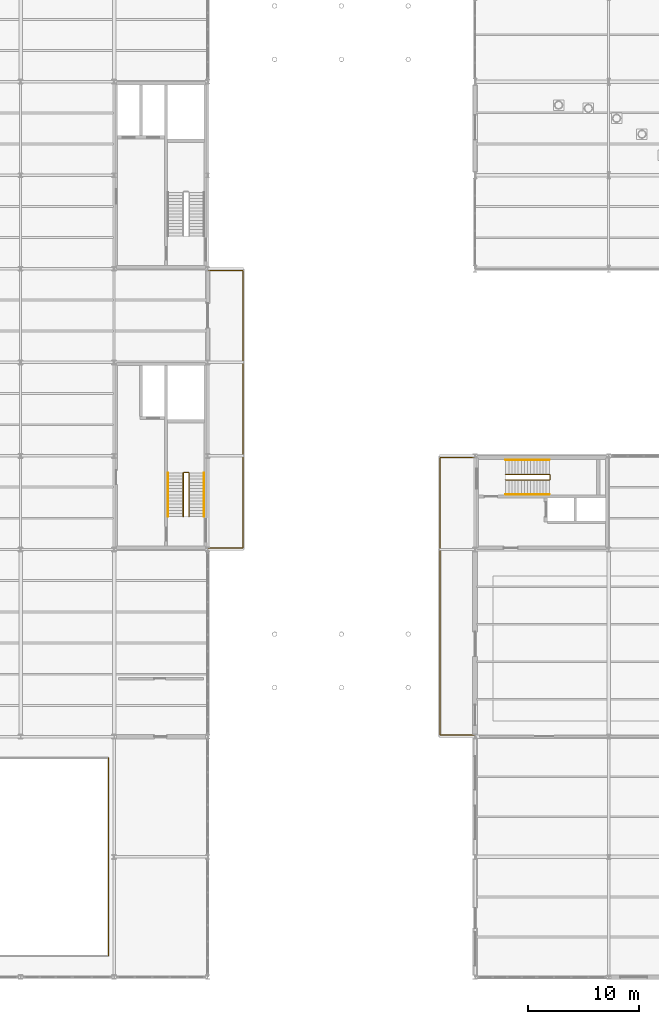
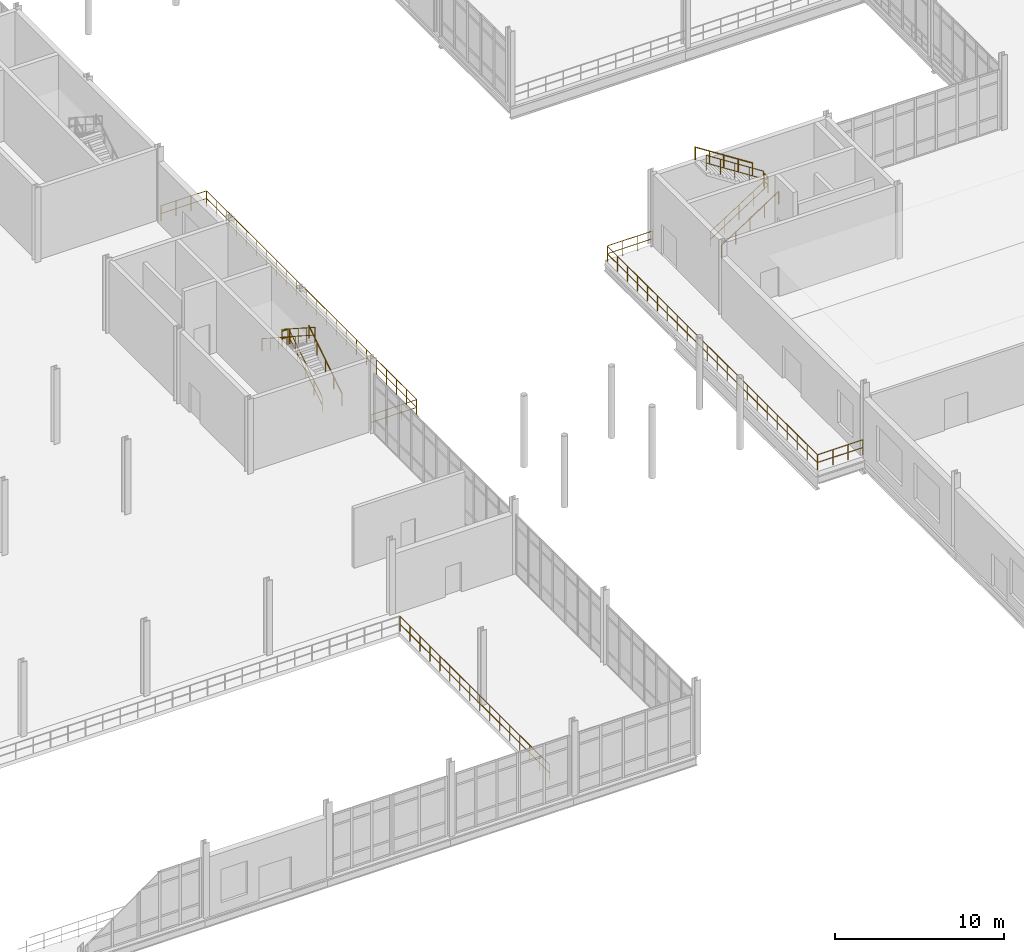
# One storey, part 107 of 111: 17 railings.
"""IFC4 building model written with IfcOpenShell, lengths in metres."""

from ifc_helpers import new_model, si_unit, direction, frame, origin, origin_2d, place, context, subcontext, project, spatial, circle, extrude, material, type_object, element, save


model = new_model("IFC4")

# Units and contexts
model_context = context("Model", 3, precision=1e-05, world=origin(), true_north=direction((0.0, 1.0)))
body_context = subcontext(model_context, "Body", "Model", "MODEL_VIEW")
ifc_project = project(units=[si_unit("LENGTHUNIT", "METRE"), si_unit("AREAUNIT", "SQUARE_METRE"), si_unit("VOLUMEUNIT", "CUBIC_METRE"), si_unit("PLANEANGLEUNIT", "RADIAN"), si_unit("MASSUNIT", "GRAM", prefix="KILO"), si_unit("THERMODYNAMICTEMPERATUREUNIT", "KELVIN"), si_unit("POWERUNIT", "WATT")], contexts=[model_context])

# Site, building, storey
site_placement = place(None, origin())
site = spatial("IfcSite", under=ifc_project, at=site_placement, CompositionType="ELEMENT")
building_placement = place(site_placement, origin())
building = spatial("IfcBuilding", under=site, at=building_placement, Name="Tembeka Court Mobility Hub", CompositionType="ELEMENT")
storey_placement = place(building_placement, origin())
storey = spatial("IfcBuildingStorey", under=building, at=storey_placement, Name="L00", CompositionType="ELEMENT", Elevation=0.0)

# Railings
ifc_material_1 = material(Name="Painted galvanised steel balustrade", Category="steel")
railing_type_1 = type_object("IfcRailingType", Name="RL-GR01", PredefinedType="GUARDRAIL", material=ifc_material_1)
railing_1_placement = place(storey_placement, frame((90.699951171875, 41.35009765625, 0.179931640625)))
element("IfcRailing", 1, at=railing_1_placement, inside=storey, type_object=railing_type_1, Name="L00 ST04 stair guard 1-1", PredefinedType="GUARDRAIL", context=body_context, shape_type="SweptSolid", body=[
    extrude(circle(Radius=0.02392578125, at=origin_2d()), frame((0.0, 0.0, 1.09619140625), z_axis=(0.0, 0.841171666519, 0.540768182723), x_axis=(-1.0, 0.0, 0.0)), (0.0, 0.0, 1.0), 4.66015625),
    extrude(circle(Radius=0.02392578125, at=origin_2d()), frame((0.0, 0.0, 0.5361328125), z_axis=(0.0, 0.841171666519, 0.540768182723), x_axis=(-1.0, 0.0, 0.0)), (0.0, 0.0, 1.0), 4.66015625),
    extrude(circle(Radius=0.02099609375, at=origin_2d()), origin(), (0.0, 0.0, 1.0), 1.072021484375),
    extrude(circle(Radius=0.02099609375, at=origin_2d()), frame((0.0, 0.97998046875, 0.6298828125)), (0.0, 0.0, 1.0), 1.072021484375),
    extrude(circle(Radius=0.02099609375, at=origin_2d()), frame((0.0, 1.9599609375, 1.260009765625)), (0.0, 0.0, 1.0), 1.072021484375),
    extrude(circle(Radius=0.02099609375, at=origin_2d()), frame((0.0, 2.93994140625, 1.89013671875)), (0.0, 0.0, 1.0), 1.072021484375),
    extrude(circle(Radius=0.02099609375, at=origin_2d()), frame((0.0, 3.919921875, 2.52001953125)), (0.0, 0.0, 1.0), 1.072021484375),
])
railing_2_placement = place(storey_placement, frame((90.64990234375, 45.320068359375, 2.699951171875)))
element("IfcRailing", 2, at=railing_2_placement, inside=storey, type_object=railing_type_1, Name="L00 ST04 stair guard 2-1", PredefinedType="GUARDRAIL", context=body_context, shape_type="SweptSolid", body=[
    extrude(circle(Radius=0.02392578125, at=origin_2d()), frame((0.0, 0.0, 1.09619140625), z_axis=(-1.0, 0.0, 0.0), x_axis=(0.0, -1.0, 0.0)), (0.0, 0.0, 1.0), 0.39990234375),
    extrude(circle(Radius=0.02392578125, at=origin_2d()), frame((0.0, 0.0, 0.5361328125), z_axis=(-1.0, 0.0, 0.0), x_axis=(0.0, -1.0, 0.0)), (0.0, 0.0, 1.0), 0.39990234375),
    extrude(circle(Radius=0.02099609375, at=origin_2d()), origin(), (0.0, 0.0, 1.0), 1.072021484375),
    extrude(circle(Radius=0.02099609375, at=origin_2d()), frame((-0.39990234375, 0.0, 0.0)), (0.0, 0.0, 1.0), 1.072021484375),
])
railing_3_placement = place(storey_placement, frame((90.199951171875, 45.27001953125, 2.8798828125)))
element("IfcRailing", 3, at=railing_3_placement, inside=storey, type_object=railing_type_1, Name="L00 ST04 stair guard 3-1", PredefinedType="GUARDRAIL", context=body_context, shape_type="SweptSolid", body=[
    extrude(circle(Radius=0.02392578125, at=origin_2d()), frame((0.0, 0.0, 1.09619140625), z_axis=(0.0, -0.841171666519, 0.540768182723), x_axis=(1.0, 0.0, 0.0)), (0.0, 0.0, 1.0), 4.66015625),
    extrude(circle(Radius=0.02392578125, at=origin_2d()), frame((0.0, 0.0, 0.5361328125), z_axis=(0.0, -0.841171666519, 0.540768182723), x_axis=(1.0, 0.0, 0.0)), (0.0, 0.0, 1.0), 4.66015625),
    extrude(circle(Radius=0.02099609375, at=origin_2d()), origin(), (0.0, 0.0, 1.0), 1.072021484375),
    extrude(circle(Radius=0.02099609375, at=origin_2d()), frame((0.0, -0.97998046875, 0.6298828125)), (0.0, 0.0, 1.0), 1.072021484375),
    extrude(circle(Radius=0.02099609375, at=origin_2d()), frame((0.0, -1.9599609375, 1.260009765625)), (0.0, 0.0, 1.0), 1.072021484375),
    extrude(circle(Radius=0.02099609375, at=origin_2d()), frame((0.0, -2.93994140625, 1.89013671875)), (0.0, 0.0, 1.0), 1.072021484375),
    extrude(circle(Radius=0.02099609375, at=origin_2d()), frame((0.0, -3.919921875, 2.52001953125)), (0.0, 0.0, 1.0), 1.072021484375),
])
railing_4_placement = place(storey_placement, frame((119.14990234375, 44.64990234375, 0.179931640625)))
element("IfcRailing", 4, at=railing_4_placement, inside=storey, type_object=railing_type_1, Name="L00 ST05 stair guard 1-1", PredefinedType="GUARDRAIL", context=body_context, shape_type="SweptSolid", body=[
    extrude(circle(Radius=0.02392578125, at=origin_2d()), frame((0.0, 0.0, 1.09619140625), z_axis=(0.841186985886, 0.0, 0.540744352514), x_axis=(0.0, 1.0, 0.0)), (0.0, 0.0, 1.0), 4.660400390625),
    extrude(circle(Radius=0.02392578125, at=origin_2d()), frame((0.0, 0.0, 0.5361328125), z_axis=(0.841186985886, 0.0, 0.540744352514), x_axis=(0.0, 1.0, 0.0)), (0.0, 0.0, 1.0), 4.660400390625),
    extrude(circle(Radius=0.02099609375, at=origin_2d()), origin(), (0.0, 0.0, 1.0), 1.072021484375),
    extrude(circle(Radius=0.02099609375, at=origin_2d()), frame((0.97998046875, 0.0, 0.6298828125)), (0.0, 0.0, 1.0), 1.072021484375),
    extrude(circle(Radius=0.02099609375, at=origin_2d()), frame((1.9599609375, 0.0, 1.260009765625)), (0.0, 0.0, 1.0), 1.072021484375),
    extrude(circle(Radius=0.02099609375, at=origin_2d()), frame((2.940185546875, 0.0, 1.89013671875)), (0.0, 0.0, 1.0), 1.072021484375),
    extrude(circle(Radius=0.02099609375, at=origin_2d()), frame((3.920166015625, 0.0, 2.52001953125)), (0.0, 0.0, 1.0), 1.072021484375),
])
railing_5_placement = place(storey_placement, frame((123.1201171875, 44.699951171875, 2.699951171875)))
element("IfcRailing", 5, at=railing_5_placement, inside=storey, type_object=railing_type_1, Name="L00 ST05 stair guard 2-1", PredefinedType="GUARDRAIL", context=body_context, shape_type="SweptSolid", body=[
    extrude(circle(Radius=0.02392578125, at=origin_2d()), frame((0.0, 0.0, 1.09619140625), z_axis=(0.0, 1.0, 0.0), x_axis=(-1.0, 0.0, 0.0)), (0.0, 0.0, 1.0), 0.400146484375),
    extrude(circle(Radius=0.02392578125, at=origin_2d()), frame((0.0, 0.0, 0.5361328125), z_axis=(0.0, 1.0, 0.0), x_axis=(-1.0, 0.0, 0.0)), (0.0, 0.0, 1.0), 0.400146484375),
    extrude(circle(Radius=0.02099609375, at=origin_2d()), origin(), (0.0, 0.0, 1.0), 1.072021484375),
    extrude(circle(Radius=0.02099609375, at=origin_2d()), frame((0.0, 0.400146484375, 0.0)), (0.0, 0.0, 1.0), 1.072021484375),
])
railing_6_placement = place(storey_placement, frame((123.070068359375, 45.14990234375, 2.8798828125)))
element("IfcRailing", 6, at=railing_6_placement, inside=storey, type_object=railing_type_1, Name="L00 ST05 stair guard 3-1", PredefinedType="GUARDRAIL", context=body_context, shape_type="SweptSolid", body=[
    extrude(circle(Radius=0.02392578125, at=origin_2d()), frame((0.0, 0.0, 1.09619140625), z_axis=(-0.841186985886, 0.0, 0.540744352514), x_axis=(0.0, -1.0, 0.0)), (0.0, 0.0, 1.0), 4.660400390625),
    extrude(circle(Radius=0.02392578125, at=origin_2d()), frame((0.0, 0.0, 0.5361328125), z_axis=(-0.841186985886, 0.0, 0.540744352514), x_axis=(0.0, -1.0, 0.0)), (0.0, 0.0, 1.0), 4.660400390625),
    extrude(circle(Radius=0.02099609375, at=origin_2d()), origin(), (0.0, 0.0, 1.0), 1.072021484375),
    extrude(circle(Radius=0.02099609375, at=origin_2d()), frame((-0.97998046875, 0.0, 0.6298828125)), (0.0, 0.0, 1.0), 1.072021484375),
    extrude(circle(Radius=0.02099609375, at=origin_2d()), frame((-1.9599609375, 0.0, 1.260009765625)), (0.0, 0.0, 1.0), 1.072021484375),
    extrude(circle(Radius=0.02099609375, at=origin_2d()), frame((-2.940185546875, 0.0, 1.89013671875)), (0.0, 0.0, 1.0), 1.072021484375),
    extrude(circle(Radius=0.02099609375, at=origin_2d()), frame((-3.920166015625, 0.0, 2.52001953125)), (0.0, 0.0, 1.0), 1.072021484375),
])
railing_type_2 = type_object("IfcRailingType", Name="RL-GR02", PredefinedType="GUARDRAIL", material=ifc_material_1)
railing_7_placement = place(storey_placement, frame((92.429931640625, 38.550048828125, 0.0)))
element("IfcRailing", 7, at=railing_7_placement, inside=storey, type_object=railing_type_2, Name="Perimeter guard GR02-0003", PredefinedType="GUARDRAIL", context=body_context, shape_type="SweptSolid", body=[
    extrude(circle(Radius=0.02392578125, at=origin_2d()), frame((0.0, 0.0, 1.09619140625), z_axis=(1.0, 0.0, 0.0), x_axis=(0.0, 1.0, 0.0)), (0.0, 0.0, 1.0), 3.090087890625),
    extrude(circle(Radius=0.02392578125, at=origin_2d()), frame((0.0, 0.0, 0.5361328125), z_axis=(1.0, 0.0, 0.0), x_axis=(0.0, 1.0, 0.0)), (0.0, 0.0, 1.0), 3.090087890625),
    extrude(circle(Radius=0.02099609375, at=origin_2d()), origin(), (0.0, 0.0, 1.0), 1.072021484375),
    extrude(circle(Radius=0.02099609375, at=origin_2d()), frame((1.030029296875, 0.0, 0.0)), (0.0, 0.0, 1.0), 1.072021484375),
    extrude(circle(Radius=0.02099609375, at=origin_2d()), frame((2.06005859375, 0.0, 0.0)), (0.0, 0.0, 1.0), 1.072021484375),
    extrude(circle(Radius=0.02099609375, at=origin_2d()), frame((3.090087890625, 0.0, 0.0)), (0.0, 0.0, 1.0), 1.072021484375),
])
railing_8_placement = place(storey_placement, frame((95.550048828125, 38.580078125, 0.0)))
element("IfcRailing", 8, at=railing_8_placement, inside=storey, type_object=railing_type_2, Name="Perimeter guard GR02-0004", PredefinedType="GUARDRAIL", context=body_context, shape_type="SweptSolid", body=[
    extrude(circle(Radius=0.02392578125, at=origin_2d()), frame((0.0, 0.0, 1.09619140625), z_axis=(0.0, 1.0, 0.0), x_axis=(-1.0, 0.0, 0.0)), (0.0, 0.0, 1.0), 24.83984375),
    extrude(circle(Radius=0.02392578125, at=origin_2d()), frame((0.0, 0.0, 0.5361328125), z_axis=(0.0, 1.0, 0.0), x_axis=(-1.0, 0.0, 0.0)), (0.0, 0.0, 1.0), 24.83984375),
    extrude(circle(Radius=0.02099609375, at=origin_2d()), origin(), (0.0, 0.0, 1.0), 1.072021484375),
    extrude(circle(Radius=0.02099609375, at=origin_2d()), frame((0.0, 1.182861328125, 0.0)), (0.0, 0.0, 1.0), 1.072021484375),
    extrude(circle(Radius=0.02099609375, at=origin_2d()), frame((0.0, 2.36572265625, 0.0)), (0.0, 0.0, 1.0), 1.072021484375),
    extrude(circle(Radius=0.02099609375, at=origin_2d()), frame((0.0, 3.548583984375, 0.0)), (0.0, 0.0, 1.0), 1.072021484375),
    extrude(circle(Radius=0.02099609375, at=origin_2d()), frame((0.0, 4.7314453125, 0.0)), (0.0, 0.0, 1.0), 1.072021484375),
    extrude(circle(Radius=0.02099609375, at=origin_2d()), frame((0.0, 5.914306640625, 0.0)), (0.0, 0.0, 1.0), 1.072021484375),
    extrude(circle(Radius=0.02099609375, at=origin_2d()), frame((0.0, 7.09716796875, 0.0)), (0.0, 0.0, 1.0), 1.072021484375),
    extrude(circle(Radius=0.02099609375, at=origin_2d()), frame((0.0, 8.280029296875, 0.0)), (0.0, 0.0, 1.0), 1.072021484375),
    extrude(circle(Radius=0.02099609375, at=origin_2d()), frame((0.0, 9.462890625, 0.0)), (0.0, 0.0, 1.0), 1.072021484375),
    extrude(circle(Radius=0.02099609375, at=origin_2d()), frame((0.0, 10.645751953125, 0.0)), (0.0, 0.0, 1.0), 1.072021484375),
    extrude(circle(Radius=0.02099609375, at=origin_2d()), frame((0.0, 11.82861328125, 0.0)), (0.0, 0.0, 1.0), 1.072021484375),
    extrude(circle(Radius=0.02099609375, at=origin_2d()), frame((0.0, 13.01123046875, 0.0)), (0.0, 0.0, 1.0), 1.072021484375),
    extrude(circle(Radius=0.02099609375, at=origin_2d()), frame((0.0, 14.194091796875, 0.0)), (0.0, 0.0, 1.0), 1.072021484375),
    extrude(circle(Radius=0.02099609375, at=origin_2d()), frame((0.0, 15.376953125, 0.0)), (0.0, 0.0, 1.0), 1.072021484375),
    extrude(circle(Radius=0.02099609375, at=origin_2d()), frame((0.0, 16.559814453125, 0.0)), (0.0, 0.0, 1.0), 1.072021484375),
    extrude(circle(Radius=0.02099609375, at=origin_2d()), frame((0.0, 17.74267578125, 0.0)), (0.0, 0.0, 1.0), 1.072021484375),
    extrude(circle(Radius=0.02099609375, at=origin_2d()), frame((0.0, 18.925537109375, 0.0)), (0.0, 0.0, 1.0), 1.072021484375),
    extrude(circle(Radius=0.02099609375, at=origin_2d()), frame((0.0, 20.1083984375, 0.0)), (0.0, 0.0, 1.0), 1.072021484375),
    extrude(circle(Radius=0.02099609375, at=origin_2d()), frame((0.0, 21.291259765625, 0.0)), (0.0, 0.0, 1.0), 1.072021484375),
    extrude(circle(Radius=0.02099609375, at=origin_2d()), frame((0.0, 22.47412109375, 0.0)), (0.0, 0.0, 1.0), 1.072021484375),
    extrude(circle(Radius=0.02099609375, at=origin_2d()), frame((0.0, 23.656982421875, 0.0)), (0.0, 0.0, 1.0), 1.072021484375),
    extrude(circle(Radius=0.02099609375, at=origin_2d()), frame((0.0, 24.83984375, 0.0)), (0.0, 0.0, 1.0), 1.072021484375),
])
for number, where, name in (
    (9, (95.52001953125, 63.449951171875, 0.0), "Perimeter guard GR02-0005"),
    (10, (116.3701171875, 21.75, 0.0), "Perimeter guard GR02-0006"),
):
    element("IfcRailing", number, at=place(storey_placement, frame(where)), inside=storey, type_object=railing_type_2, Name=name, PredefinedType="GUARDRAIL", context=body_context, shape_type="SweptSolid", body=[
        extrude(circle(Radius=0.02392578125, at=origin_2d()), frame((0.0, 0.0, 1.09619140625), z_axis=(-1.0, 0.0, 0.0), x_axis=(0.0, -1.0, 0.0)), (0.0, 0.0, 1.0), 3.090087890625),
        extrude(circle(Radius=0.02392578125, at=origin_2d()), frame((0.0, 0.0, 0.5361328125), z_axis=(-1.0, 0.0, 0.0), x_axis=(0.0, -1.0, 0.0)), (0.0, 0.0, 1.0), 3.090087890625),
        extrude(circle(Radius=0.02099609375, at=origin_2d()), origin(), (0.0, 0.0, 1.0), 1.072021484375),
        extrude(circle(Radius=0.02099609375, at=origin_2d()), frame((-1.030029296875, 0.0, 0.0)), (0.0, 0.0, 1.0), 1.072021484375),
        extrude(circle(Radius=0.02099609375, at=origin_2d()), frame((-2.06005859375, 0.0, 0.0)), (0.0, 0.0, 1.0), 1.072021484375),
        extrude(circle(Radius=0.02099609375, at=origin_2d()), frame((-3.090087890625, 0.0, 0.0)), (0.0, 0.0, 1.0), 1.072021484375),
    ])
railing_9_placement = place(storey_placement, frame((113.25, 21.780029296875, 0.0)))
element("IfcRailing", 11, at=railing_9_placement, inside=storey, type_object=railing_type_2, Name="Perimeter guard GR02-0007", PredefinedType="GUARDRAIL", context=body_context, shape_type="SweptSolid", body=[
    extrude(circle(Radius=0.02392578125, at=origin_2d()), frame((0.0, 0.0, 1.09619140625), z_axis=(0.0, 1.0, 0.0), x_axis=(-1.0, 0.0, 0.0)), (0.0, 0.0, 1.0), 24.840087890625),
    extrude(circle(Radius=0.02392578125, at=origin_2d()), frame((0.0, 0.0, 0.5361328125), z_axis=(0.0, 1.0, 0.0), x_axis=(-1.0, 0.0, 0.0)), (0.0, 0.0, 1.0), 24.840087890625),
    extrude(circle(Radius=0.02099609375, at=origin_2d()), origin(), (0.0, 0.0, 1.0), 1.072021484375),
    extrude(circle(Radius=0.02099609375, at=origin_2d()), frame((0.0, 1.182861328125, 0.0)), (0.0, 0.0, 1.0), 1.072021484375),
    extrude(circle(Radius=0.02099609375, at=origin_2d()), frame((0.0, 2.36572265625, 0.0)), (0.0, 0.0, 1.0), 1.072021484375),
    extrude(circle(Radius=0.02099609375, at=origin_2d()), frame((0.0, 3.548583984375, 0.0)), (0.0, 0.0, 1.0), 1.072021484375),
    extrude(circle(Radius=0.02099609375, at=origin_2d()), frame((0.0, 4.7314453125, 0.0)), (0.0, 0.0, 1.0), 1.072021484375),
    extrude(circle(Radius=0.02099609375, at=origin_2d()), frame((0.0, 5.914306640625, 0.0)), (0.0, 0.0, 1.0), 1.072021484375),
    extrude(circle(Radius=0.02099609375, at=origin_2d()), frame((0.0, 7.09716796875, 0.0)), (0.0, 0.0, 1.0), 1.072021484375),
    extrude(circle(Radius=0.02099609375, at=origin_2d()), frame((0.0, 8.280029296875, 0.0)), (0.0, 0.0, 1.0), 1.072021484375),
    extrude(circle(Radius=0.02099609375, at=origin_2d()), frame((0.0, 9.462890625, 0.0)), (0.0, 0.0, 1.0), 1.072021484375),
    extrude(circle(Radius=0.02099609375, at=origin_2d()), frame((0.0, 10.645751953125, 0.0)), (0.0, 0.0, 1.0), 1.072021484375),
    extrude(circle(Radius=0.02099609375, at=origin_2d()), frame((0.0, 11.82861328125, 0.0)), (0.0, 0.0, 1.0), 1.072021484375),
    extrude(circle(Radius=0.02099609375, at=origin_2d()), frame((0.0, 13.011474609375, 0.0)), (0.0, 0.0, 1.0), 1.072021484375),
    extrude(circle(Radius=0.02099609375, at=origin_2d()), frame((0.0, 14.1943359375, 0.0)), (0.0, 0.0, 1.0), 1.072021484375),
    extrude(circle(Radius=0.02099609375, at=origin_2d()), frame((0.0, 15.377197265625, 0.0)), (0.0, 0.0, 1.0), 1.072021484375),
    extrude(circle(Radius=0.02099609375, at=origin_2d()), frame((0.0, 16.56005859375, 0.0)), (0.0, 0.0, 1.0), 1.072021484375),
    extrude(circle(Radius=0.02099609375, at=origin_2d()), frame((0.0, 17.742919921875, 0.0)), (0.0, 0.0, 1.0), 1.072021484375),
    extrude(circle(Radius=0.02099609375, at=origin_2d()), frame((0.0, 18.92578125, 0.0)), (0.0, 0.0, 1.0), 1.072021484375),
    extrude(circle(Radius=0.02099609375, at=origin_2d()), frame((0.0, 20.108642578125, 0.0)), (0.0, 0.0, 1.0), 1.072021484375),
    extrude(circle(Radius=0.02099609375, at=origin_2d()), frame((0.0, 21.29150390625, 0.0)), (0.0, 0.0, 1.0), 1.072021484375),
    extrude(circle(Radius=0.02099609375, at=origin_2d()), frame((0.0, 22.474365234375, 0.0)), (0.0, 0.0, 1.0), 1.072021484375),
    extrude(circle(Radius=0.02099609375, at=origin_2d()), frame((0.0, 23.6572265625, 0.0)), (0.0, 0.0, 1.0), 1.072021484375),
    extrude(circle(Radius=0.02099609375, at=origin_2d()), frame((0.0, 24.840087890625, 0.0)), (0.0, 0.0, 1.0), 1.072021484375),
])
railing_10_placement = place(storey_placement, frame((113.280029296875, 46.64990234375, 0.0)))
element("IfcRailing", 12, at=railing_10_placement, inside=storey, type_object=railing_type_2, Name="Perimeter guard GR02-0008", PredefinedType="GUARDRAIL", context=body_context, shape_type="SweptSolid", body=[
    extrude(circle(Radius=0.02392578125, at=origin_2d()), frame((0.0, 0.0, 1.09619140625), z_axis=(1.0, 0.0, 0.0), x_axis=(0.0, 1.0, 0.0)), (0.0, 0.0, 1.0), 3.090087890625),
    extrude(circle(Radius=0.02392578125, at=origin_2d()), frame((0.0, 0.0, 0.5361328125), z_axis=(1.0, 0.0, 0.0), x_axis=(0.0, 1.0, 0.0)), (0.0, 0.0, 1.0), 3.090087890625),
    extrude(circle(Radius=0.02099609375, at=origin_2d()), origin(), (0.0, 0.0, 1.0), 1.072021484375),
    extrude(circle(Radius=0.02099609375, at=origin_2d()), frame((1.030029296875, 0.0, 0.0)), (0.0, 0.0, 1.0), 1.072021484375),
    extrude(circle(Radius=0.02099609375, at=origin_2d()), frame((2.06005859375, 0.0, 0.0)), (0.0, 0.0, 1.0), 1.072021484375),
    extrude(circle(Radius=0.02099609375, at=origin_2d()), frame((3.090087890625, 0.0, 0.0)), (0.0, 0.0, 1.0), 1.072021484375),
])
railing_11_placement = place(storey_placement, frame((83.5, 1.929931640625, 0.0)))
element("IfcRailing", 13, at=railing_11_placement, inside=storey, type_object=railing_type_2, Name="Perimeter guard GR02-0010", PredefinedType="GUARDRAIL", context=body_context, shape_type="SweptSolid", body=[
    extrude(circle(Radius=0.02392578125, at=origin_2d()), frame((0.0, 0.0, 1.09619140625), z_axis=(0.0, 1.0, 0.0), x_axis=(-1.0, 0.0, 0.0)), (0.0, 0.0, 1.0), 17.739990234375),
    extrude(circle(Radius=0.02392578125, at=origin_2d()), frame((0.0, 0.0, 0.5361328125), z_axis=(0.0, 1.0, 0.0), x_axis=(-1.0, 0.0, 0.0)), (0.0, 0.0, 1.0), 17.739990234375),
    extrude(circle(Radius=0.02099609375, at=origin_2d()), origin(), (0.0, 0.0, 1.0), 1.072021484375),
    extrude(circle(Radius=0.02099609375, at=origin_2d()), frame((0.0, 1.1826171875, 0.0)), (0.0, 0.0, 1.0), 1.072021484375),
    extrude(circle(Radius=0.02099609375, at=origin_2d()), frame((0.0, 2.365234375, 0.0)), (0.0, 0.0, 1.0), 1.072021484375),
    extrude(circle(Radius=0.02099609375, at=origin_2d()), frame((0.0, 3.548095703125, 0.0)), (0.0, 0.0, 1.0), 1.072021484375),
    extrude(circle(Radius=0.02099609375, at=origin_2d()), frame((0.0, 4.730712890625, 0.0)), (0.0, 0.0, 1.0), 1.072021484375),
    extrude(circle(Radius=0.02099609375, at=origin_2d()), frame((0.0, 5.913330078125, 0.0)), (0.0, 0.0, 1.0), 1.072021484375),
    extrude(circle(Radius=0.02099609375, at=origin_2d()), frame((0.0, 7.095947265625, 0.0)), (0.0, 0.0, 1.0), 1.072021484375),
    extrude(circle(Radius=0.02099609375, at=origin_2d()), frame((0.0, 8.278564453125, 0.0)), (0.0, 0.0, 1.0), 1.072021484375),
    extrude(circle(Radius=0.02099609375, at=origin_2d()), frame((0.0, 9.46142578125, 0.0)), (0.0, 0.0, 1.0), 1.072021484375),
    extrude(circle(Radius=0.02099609375, at=origin_2d()), frame((0.0, 10.64404296875, 0.0)), (0.0, 0.0, 1.0), 1.072021484375),
    extrude(circle(Radius=0.02099609375, at=origin_2d()), frame((0.0, 11.82666015625, 0.0)), (0.0, 0.0, 1.0), 1.072021484375),
    extrude(circle(Radius=0.02099609375, at=origin_2d()), frame((0.0, 13.00927734375, 0.0)), (0.0, 0.0, 1.0), 1.072021484375),
    extrude(circle(Radius=0.02099609375, at=origin_2d()), frame((0.0, 14.19189453125, 0.0)), (0.0, 0.0, 1.0), 1.072021484375),
    extrude(circle(Radius=0.02099609375, at=origin_2d()), frame((0.0, 15.374755859375, 0.0)), (0.0, 0.0, 1.0), 1.072021484375),
    extrude(circle(Radius=0.02099609375, at=origin_2d()), frame((0.0, 16.557373046875, 0.0)), (0.0, 0.0, 1.0), 1.072021484375),
    extrude(circle(Radius=0.02099609375, at=origin_2d()), frame((0.0, 17.739990234375, 0.0)), (0.0, 0.0, 1.0), 1.072021484375),
])
ifc_material_2 = material(Name="Brushed stainless steel handrail", Category="steel")
railing_type_3 = type_object("IfcRailingType", Name="RL-HR01", PredefinedType="HANDRAIL", material=ifc_material_2)
railing_12_placement = place(storey_placement, frame((92.050048828125, 41.35009765625, 0.179931640625)))
element("IfcRailing", 14, at=railing_12_placement, inside=storey, type_object=railing_type_3, Name="L00 ST04 handrail 1-1", PredefinedType="HANDRAIL", context=body_context, shape_type="SweptSolid", body=[
    extrude(circle(Radius=0.02392578125, at=origin_2d()), frame((0.0, 0.0, 0.89599609375), z_axis=(0.0, 0.841171666519, 0.540768182723), x_axis=(-1.0, 0.0, 0.0)), (0.0, 0.0, 1.0), 4.66015625),
    extrude(circle(Radius=0.02099609375, at=origin_2d()), origin(), (0.0, 0.0, 1.0), 0.871826171875),
    extrude(circle(Radius=0.02099609375, at=origin_2d()), frame((0.0, 0.97998046875, 0.6298828125)), (0.0, 0.0, 1.0), 0.871826171875),
    extrude(circle(Radius=0.02099609375, at=origin_2d()), frame((0.0, 1.9599609375, 1.260009765625)), (0.0, 0.0, 1.0), 0.871826171875),
    extrude(circle(Radius=0.02099609375, at=origin_2d()), frame((0.0, 2.93994140625, 1.89013671875)), (0.0, 0.0, 1.0), 0.871826171875),
    extrude(circle(Radius=0.02099609375, at=origin_2d()), frame((0.0, 3.919921875, 2.52001953125)), (0.0, 0.0, 1.0), 0.871826171875),
])
railing_13_placement = place(storey_placement, frame((88.85009765625, 45.27001953125, 2.8798828125)))
element("IfcRailing", 15, at=railing_13_placement, inside=storey, type_object=railing_type_3, Name="L00 ST04 handrail 2-1", PredefinedType="HANDRAIL", context=body_context, shape_type="SweptSolid", body=[
    extrude(circle(Radius=0.02392578125, at=origin_2d()), frame((0.0, 0.0, 0.89599609375), z_axis=(0.0, -0.841171666519, 0.540768182723), x_axis=(1.0, 0.0, 0.0)), (0.0, 0.0, 1.0), 4.66015625),
    extrude(circle(Radius=0.02099609375, at=origin_2d()), origin(), (0.0, 0.0, 1.0), 0.871826171875),
    extrude(circle(Radius=0.02099609375, at=origin_2d()), frame((0.0, -0.97998046875, 0.6298828125)), (0.0, 0.0, 1.0), 0.871826171875),
    extrude(circle(Radius=0.02099609375, at=origin_2d()), frame((0.0, -1.9599609375, 1.260009765625)), (0.0, 0.0, 1.0), 0.871826171875),
    extrude(circle(Radius=0.02099609375, at=origin_2d()), frame((0.0, -2.93994140625, 1.89013671875)), (0.0, 0.0, 1.0), 0.871826171875),
    extrude(circle(Radius=0.02099609375, at=origin_2d()), frame((0.0, -3.919921875, 2.52001953125)), (0.0, 0.0, 1.0), 0.871826171875),
])
railing_14_placement = place(storey_placement, frame((119.14990234375, 43.35009765625, 0.179931640625)))
element("IfcRailing", 16, at=railing_14_placement, inside=storey, type_object=railing_type_3, Name="L00 ST05 handrail 1-1", PredefinedType="HANDRAIL", context=body_context, shape_type="SweptSolid", body=[
    extrude(circle(Radius=0.02392578125, at=origin_2d()), frame((0.0, 0.0, 0.89599609375), z_axis=(0.841186985886, 0.0, 0.540744352514), x_axis=(0.0, 1.0, 0.0)), (0.0, 0.0, 1.0), 4.660400390625),
    extrude(circle(Radius=0.02099609375, at=origin_2d()), origin(), (0.0, 0.0, 1.0), 0.871826171875),
    extrude(circle(Radius=0.02099609375, at=origin_2d()), frame((0.97998046875, 0.0, 0.6298828125)), (0.0, 0.0, 1.0), 0.871826171875),
    extrude(circle(Radius=0.02099609375, at=origin_2d()), frame((1.9599609375, 0.0, 1.260009765625)), (0.0, 0.0, 1.0), 0.871826171875),
    extrude(circle(Radius=0.02099609375, at=origin_2d()), frame((2.940185546875, 0.0, 1.89013671875)), (0.0, 0.0, 1.0), 0.871826171875),
    extrude(circle(Radius=0.02099609375, at=origin_2d()), frame((3.920166015625, 0.0, 2.52001953125)), (0.0, 0.0, 1.0), 0.871826171875),
])
railing_15_placement = place(storey_placement, frame((123.070068359375, 46.449951171875, 2.8798828125)))
element("IfcRailing", 17, at=railing_15_placement, inside=storey, type_object=railing_type_3, Name="L00 ST05 handrail 2-1", PredefinedType="HANDRAIL", context=body_context, shape_type="SweptSolid", body=[
    extrude(circle(Radius=0.02392578125, at=origin_2d()), frame((0.0, 0.0, 0.89599609375), z_axis=(-0.841186985886, 0.0, 0.540744352514), x_axis=(0.0, -1.0, 0.0)), (0.0, 0.0, 1.0), 4.660400390625),
    extrude(circle(Radius=0.02099609375, at=origin_2d()), origin(), (0.0, 0.0, 1.0), 0.871826171875),
    extrude(circle(Radius=0.02099609375, at=origin_2d()), frame((-0.97998046875, 0.0, 0.6298828125)), (0.0, 0.0, 1.0), 0.871826171875),
    extrude(circle(Radius=0.02099609375, at=origin_2d()), frame((-1.9599609375, 0.0, 1.260009765625)), (0.0, 0.0, 1.0), 0.871826171875),
    extrude(circle(Radius=0.02099609375, at=origin_2d()), frame((-2.940185546875, 0.0, 1.89013671875)), (0.0, 0.0, 1.0), 0.871826171875),
    extrude(circle(Radius=0.02099609375, at=origin_2d()), frame((-3.920166015625, 0.0, 2.52001953125)), (0.0, 0.0, 1.0), 0.871826171875),
])

save(model, "model.ifc")
